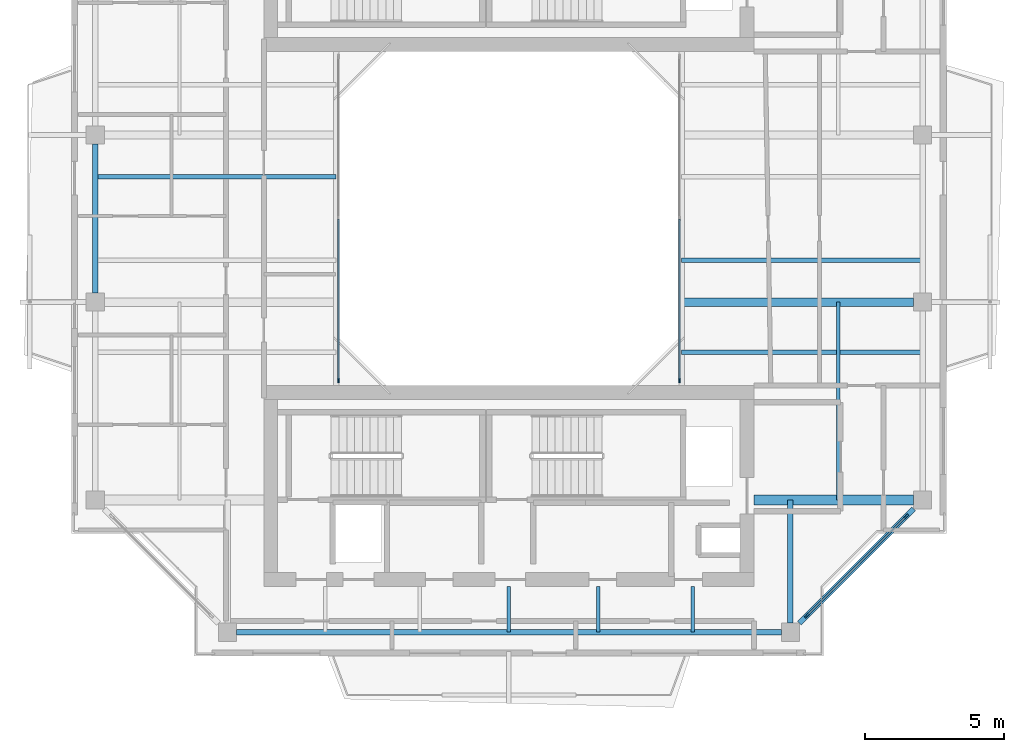
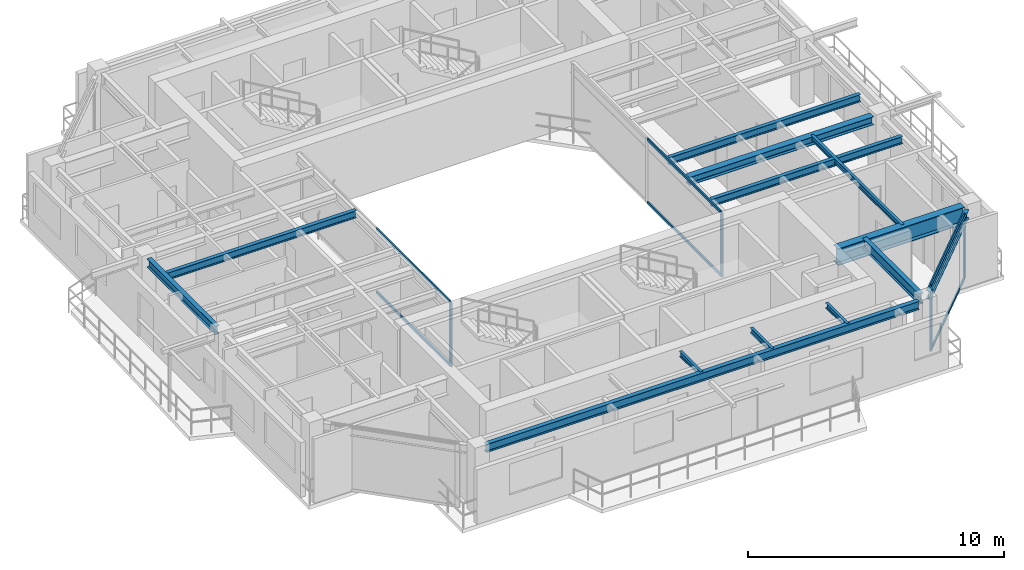
# One storey, part 4 of 15: 13 beams, 10 members, 3 elements without a shape of their own.
"""IFC4 building model written with IfcOpenShell, lengths in metres."""

from ifc_helpers import new_model, si_unit, direction, frame, origin, origin_2d, place, context, subcontext, project, spatial, rectangle, i_section, extrude, source, transform, mapped, material, layer, layer_set, material_profile, profile_set, type_object, element, aggregate, save


model = new_model("IFC4")

# Units and contexts
model_context = context("Model", 3, precision=1e-05, world=origin(), true_north=direction((0.0, 1.0)))
body_context = subcontext(model_context, "Body", "Model", "MODEL_VIEW")
ifc_project = project(units=[si_unit("LENGTHUNIT", "METRE"), si_unit("AREAUNIT", "SQUARE_METRE"), si_unit("VOLUMEUNIT", "CUBIC_METRE"), si_unit("PLANEANGLEUNIT", "RADIAN"), si_unit("MASSUNIT", "GRAM", prefix="KILO"), si_unit("THERMODYNAMICTEMPERATUREUNIT", "KELVIN"), si_unit("POWERUNIT", "WATT")], contexts=[model_context])

# Site, building, storey
site_placement = place(None, origin())
site = spatial("IfcSite", under=ifc_project, at=site_placement, CompositionType="ELEMENT")
building_placement = place(site_placement, origin())
building = spatial("IfcBuilding", under=site, at=building_placement, Name="Qiaomeng Ring Towers", CompositionType="ELEMENT")
storey_placement = place(building_placement, frame((0.0, 0.0, 256.75)))
storey = spatial("IfcBuildingStorey", under=building, at=storey_placement, Name="L75", CompositionType="ELEMENT", Elevation=256.75)

# Beams
ifc_material_1 = material(Name="Steel Q355B", Category="steel")
ifc_material_profile_1 = material_profile(ifc_material_1, i_section(OverallWidth=0.198974609375, OverallDepth=0.39599609375, WebThickness=0.007080078125, FlangeThickness=0.010986328125, FilletRadius=0.01611328125, at=origin_2d()), Name="HN 396x199x7x11")
ifc_profile_set_1 = profile_set([ifc_material_profile_1], Name="Steel Q355B")
beam_type_1 = type_object("IfcBeamType", Name="STR-BM-HN396", PredefinedType="SPANDREL", material=ifc_profile_set_1)
shared_shape_1 = source(origin(), body_context, "Body", "SweptSolid", [
    extrude(i_section(OverallWidth=0.198974609375, OverallDepth=0.39599609375, WebThickness=0.007080078125, FlangeThickness=0.010986328125, FilletRadius=0.01611328125, at=origin_2d()), origin(), (0.0, 0.0, 1.0), 19.5517578125),
])
beam_1_placement = place(storey_placement, frame((9.22412109375, 8.14990234375, 2.8720703125), z_axis=(1.0, 0.0, 0.0), x_axis=(0.0, 1.0, 0.0)))
element("IfcBeam", 1, at=beam_1_placement, inside=storey, type_object=beam_type_1, Name="L75 beam STR-SP-L75-T1-S1-S2", PredefinedType="SPANDREL", context=body_context, shape_type="MappedRepresentation", body=[
    mapped(shared_shape_1, transform((0.0, 0.0, 0.0), x_axis=(1.0, 0.0, 0.0), y_axis=(0.0, 1.0, 0.0), z_axis=(0.0, 0.0, 1.0), scale=1.0)),
])
shared_shape_2 = source(origin(), body_context, "Body", "SweptSolid", [
    extrude(i_section(OverallWidth=0.198974609375, OverallDepth=0.39599609375, WebThickness=0.007080078125, FlangeThickness=0.010986328125, FilletRadius=0.01611328125, at=origin_2d()), origin(), (0.0, 0.0, 1.0), 5.800048828125),
])
beam_2_placement = place(storey_placement, frame((29.42431640625, 8.474365234375, 2.8720703125), z_axis=(0.707106781187, 0.707106781187, 0.0), x_axis=(-0.707106781187, 0.707106781187, 0.0)))
element("IfcBeam", 2, at=beam_2_placement, inside=storey, type_object=beam_type_1, Name="L75 beam STR-SP-L75-T1-S2-E1", PredefinedType="SPANDREL", context=body_context, shape_type="MappedRepresentation", body=[
    mapped(shared_shape_2, transform((0.0, 0.0, 0.0), x_axis=(1.0, 0.0, 0.0), y_axis=(0.0, 1.0, 0.0), z_axis=(0.0, 0.0, 1.0), scale=1.0)),
])
shared_shape_3 = source(origin(), body_context, "Body", "SweptSolid", [
    extrude(i_section(OverallWidth=0.198974609375, OverallDepth=0.39599609375, WebThickness=0.007080078125, FlangeThickness=0.010986328125, FilletRadius=0.01611328125, at=origin_2d()), origin(), (0.0, 0.0, 1.0), 5.35205078125),
])
beam_3_placement = place(storey_placement, frame((4.14990234375, 25.676025390625, 2.8720703125), z_axis=(0.0, -1.0, 0.0), x_axis=(1.0, 0.0, 0.0)))
element("IfcBeam", 3, at=beam_3_placement, inside=storey, type_object=beam_type_1, Name="L75 beam STR-SP-L75-T1-W3-W2", PredefinedType="SPANDREL", context=body_context, shape_type="MappedRepresentation", body=[
    mapped(shared_shape_3, transform((0.0, 0.0, 0.0), x_axis=(1.0, 0.0, 0.0), y_axis=(0.0, 1.0, 0.0), z_axis=(0.0, 0.0, 1.0), scale=1.0)),
])
ifc_material_2 = material(Name="Steel Q390GJC", Category="steel")
ifc_material_profile_2 = material_profile(ifc_material_2, i_section(OverallWidth=0.35009765625, OverallDepth=0.800048828125, WebThickness=0.01611328125, FlangeThickness=0.028076171875, at=origin_2d()), Name="WH 800x350x16x28")
ifc_profile_set_2 = profile_set([ifc_material_profile_2], Name="Steel Q390GJC")
beam_type_2 = type_object("IfcBeamType", Name="STR-BM-WH800", PredefinedType="BEAM", material=ifc_profile_set_2)
shared_shape_4 = source(origin(), body_context, "Body", "SweptSolid", [
    extrude(i_section(OverallWidth=0.35009765625, OverallDepth=0.800048828125, WebThickness=0.01611328125, FlangeThickness=0.028076171875, at=origin_2d()), origin(), (0.0, 0.0, 1.0), 5.725830078125),
])
beam_4_placement = place(storey_placement, frame((27.800048828125, 12.89990234375, 2.669921875), z_axis=(1.0, 0.0, 0.0), x_axis=(0.0, 1.0, 0.0)))
element("IfcBeam", 4, at=beam_4_placement, inside=storey, type_object=beam_type_2, Name="L75 beam STR-BM-L75-T1-RAD-E1", PredefinedType="BEAM", context=body_context, shape_type="MappedRepresentation", body=[
    mapped(shared_shape_4, transform((0.0, 0.0, 0.0), x_axis=(1.0, 0.0, 0.0), y_axis=(0.0, 1.0, 0.0), z_axis=(0.0, 0.0, 1.0), scale=1.0)),
])
ifc_material_profile_3 = material_profile(ifc_material_1, i_section(OverallWidth=0.198974609375, OverallDepth=0.49609375, WebThickness=0.009033203125, FlangeThickness=0.013916015625, FilletRadius=0.01806640625, at=origin_2d()), Name="HN 496x199x9x14")
ifc_profile_set_3 = profile_set([ifc_material_profile_3], Name="Steel Q355B")
beam_type_3 = type_object("IfcBeamType", Name="STR-BM-HN496", PredefinedType="BEAM", material=ifc_profile_set_3)
shared_shape_5 = source(origin(), body_context, "Body", "SweptSolid", [
    extrude(i_section(OverallWidth=0.198974609375, OverallDepth=0.49609375, WebThickness=0.009033203125, FlangeThickness=0.013916015625, FilletRadius=0.01806640625, at=origin_2d()), origin(), (0.0, 0.0, 1.0), 4.42578125),
])
beam_5_placement = place(storey_placement, frame((29.10009765625, 8.47412109375, 2.822021484375), z_axis=(0.0, 1.0, 0.0), x_axis=(-1.0, 0.0, 0.0)))
element("IfcBeam", 5, at=beam_5_placement, inside=storey, type_object=beam_type_3, Name="L75 beam STR-BM-L75-T1-RAD-S2", PredefinedType="BEAM", context=body_context, shape_type="MappedRepresentation", body=[
    mapped(shared_shape_5, transform((0.0, 0.0, 0.0), x_axis=(1.0, 0.0, 0.0), y_axis=(0.0, 1.0, 0.0), z_axis=(0.0, 0.0, 1.0), scale=1.0)),
])
ifc_material_profile_4 = material_profile(ifc_material_1, i_section(OverallWidth=0.300048828125, OverallDepth=0.389892578125, WebThickness=0.010009765625, FlangeThickness=0.01611328125, FilletRadius=0.02197265625, at=origin_2d()), Name="HM 390x300x10x16")
ifc_profile_set_4 = profile_set([ifc_material_profile_4], Name="Steel Q355B")
beam_type_4 = type_object("IfcBeamType", Name="STR-BM-HM390", PredefinedType="BEAM", material=ifc_profile_set_4)
shared_shape_6 = source(origin(), body_context, "Body", "SweptSolid", [
    extrude(i_section(OverallWidth=0.300048828125, OverallDepth=0.389892578125, WebThickness=0.010009765625, FlangeThickness=0.01611328125, FilletRadius=0.02197265625, at=origin_2d()), origin(), (0.0, 0.0, 1.0), 8.325927734375),
])
beam_6_placement = place(storey_placement, frame((25.199951171875, 20.0, 2.875), z_axis=(1.0, 0.0, 0.0), x_axis=(0.0, 1.0, 0.0)))
element("IfcBeam", 6, at=beam_6_placement, inside=storey, type_object=beam_type_4, Name="L75 beam STR-BM-L75-T1-RAD-E2", PredefinedType="BEAM", context=body_context, shape_type="MappedRepresentation", body=[
    mapped(shared_shape_6, transform((0.0, 0.0, 0.0), x_axis=(1.0, 0.0, 0.0), y_axis=(0.0, 1.0, 0.0), z_axis=(0.0, 0.0, 1.0), scale=1.0)),
])
ifc_material_profile_5 = material_profile(ifc_material_1, i_section(OverallWidth=0.125, OverallDepth=0.25, WebThickness=0.006103515625, FlangeThickness=0.009033203125, FilletRadius=0.011962890625, at=origin_2d()), Name="HN 250x125x6x9")
ifc_profile_set_5 = profile_set([ifc_material_profile_5], Name="Steel Q355B")
beam_type_5 = type_object("IfcBeamType", Name="STR-BM-HN250", PredefinedType="JOIST", material=ifc_profile_set_5)
shared_shape_7 = source(origin(), body_context, "Body", "SweptSolid", [
    extrude(i_section(OverallWidth=0.125, OverallDepth=0.25, WebThickness=0.006103515625, FlangeThickness=0.009033203125, FilletRadius=0.011962890625, at=origin_2d()), origin(), (0.0, 0.0, 1.0), 1.650146484375),
])
for number, where, z_axis, x_axis, name in (
    (7, (19.0, 8.14990234375, 2.945068359375), (0.0, 1.0, 0.0), (-1.0, 0.0, 0.0), "L75 beam STR-JST-L75-T1S-3"),
    (8, (22.199951171875, 8.14990234375, 2.945068359375), (0.0, 1.0, 0.0), (-1.0, 0.0, 0.0), "L75 beam STR-JST-L75-T1S-4"),
    (9, (25.60009765625, 8.14990234375, 2.945068359375), (0.0, 1.0, 0.0), (-1.0, 0.0, 0.0), "L75 beam STR-JST-L75-T1S-5"),
):
    element("IfcBeam", number, at=place(storey_placement, frame(where, z_axis=z_axis, x_axis=x_axis)), inside=storey, type_object=beam_type_5, Name=name, PredefinedType="JOIST", context=body_context, shape_type="MappedRepresentation", body=[
        mapped(shared_shape_7, transform((0.0, 0.0, 0.0), x_axis=(1.0, 0.0, 0.0), y_axis=(0.0, 1.0, 0.0), z_axis=(0.0, 0.0, 1.0), scale=1.0)),
    ])
ifc_material_profile_6 = material_profile(ifc_material_1, i_section(OverallWidth=0.175048828125, OverallDepth=0.35009765625, WebThickness=0.007080078125, FlangeThickness=0.010986328125, FilletRadius=0.013916015625, at=origin_2d()), Name="HN 350x175x7x11")
ifc_profile_set_6 = profile_set([ifc_material_profile_6], Name="Steel Q355B")
beam_type_6 = type_object("IfcBeamType", Name="STR-BM-HN350", PredefinedType="JOIST", material=ifc_profile_set_6)
shared_shape_8 = source(origin(), body_context, "Body", "SweptSolid", [
    extrude(i_section(OverallWidth=0.175048828125, OverallDepth=0.35009765625, WebThickness=0.007080078125, FlangeThickness=0.010986328125, FilletRadius=0.013916015625, at=origin_2d()), origin(), (0.0, 0.0, 1.0), 8.650146484375),
])
for number, where, z_axis, x_axis, name in (
    (10, (25.199951171875, 18.199951171875, 2.89501953125), (1.0, 0.0, 0.0), (0.0, 1.0, 0.0), "L75 beam STR-JST-L75-T1E-1"),
    (11, (25.199951171875, 21.5, 2.89501953125), (1.0, 0.0, 0.0), (0.0, 1.0, 0.0), "L75 beam STR-JST-L75-T1E-2"),
    (12, (4.14990234375, 24.5, 2.89501953125), (1.0, 0.0, 0.0), (0.0, 1.0, 0.0), "L75 beam STR-JST-L75-T1W-3"),
):
    element("IfcBeam", number, at=place(storey_placement, frame(where, z_axis=z_axis, x_axis=x_axis)), inside=storey, type_object=beam_type_6, Name=name, PredefinedType="JOIST", context=body_context, shape_type="MappedRepresentation", body=[
        mapped(shared_shape_8, transform((0.0, 0.0, 0.0), x_axis=(1.0, 0.0, 0.0), y_axis=(0.0, 1.0, 0.0), z_axis=(0.0, 0.0, 1.0), scale=1.0)),
    ])
shared_shape_9 = source(origin(), body_context, "Body", "SweptSolid", [
    extrude(i_section(OverallWidth=0.125, OverallDepth=0.25, WebThickness=0.006103515625, FlangeThickness=0.009033203125, FilletRadius=0.011962890625, at=origin_2d()), origin(), (0.0, 0.0, 1.0), 7.10009765625),
])
beam_7_placement = place(storey_placement, frame((30.824951171875, 12.89990234375, 2.945068359375), z_axis=(0.0, 1.0, 0.0), x_axis=(-1.0, 0.0, 0.0)))
element("IfcBeam", 13, at=beam_7_placement, inside=storey, type_object=beam_type_5, Name="L75 beam STR-JST-L75-T1C-ES", PredefinedType="JOIST", context=body_context, shape_type="MappedRepresentation", body=[
    mapped(shared_shape_9, transform((0.0, 0.0, 0.0), x_axis=(1.0, 0.0, 0.0), y_axis=(0.0, 1.0, 0.0), z_axis=(0.0, 0.0, 1.0), scale=1.0)),
])

# Curtain wall, member
ifc_material_3 = material(Name="Fluorocarbon dark-grey aluminium", Category="aluminium")
ifc_layer_1 = layer(ifc_material_3, 0.139892578125, Name="Fluorocarbon dark-grey aluminium")
ifc_layer_set_1 = layer_set([ifc_layer_1], Name="Fluorocarbon dark-grey aluminium")
curtain_wall_type_1 = type_object("IfcCurtainWallType", Name="ARC-CW-4", PredefinedType="NOTDEFINED", material=ifc_layer_set_1)
curtain_wall_1_placement = place(storey_placement, origin())
curtain_wall_1 = element("IfcCurtainWall", 14, at=curtain_wall_1_placement, inside=storey, type_object=curtain_wall_type_1, Name="L75 Curtain Wall CW4", PredefinedType="NOTDEFINED")
ifc_material_profile_7 = material_profile(ifc_material_3, rectangle(XDim=0.06494140625, YDim=0.159912109375, at=origin_2d()), Name="ALU MULL 65x160")
ifc_profile_set_7 = profile_set([ifc_material_profile_7], Name="Fluorocarbon dark-grey aluminium")
member_type_1 = type_object("IfcMemberType", Name="ARC-CWM-140", PredefinedType="MULLION", material=ifc_profile_set_7)
shared_shape_10 = source(origin(), body_context, "Body", "SweptSolid", [
    extrude(rectangle(XDim=0.06494140625, YDim=0.159912109375, at=origin_2d()), origin(), (0.0, 0.0, 1.0), 3.070068359375),
])
member_1_placement = place(storey_placement, frame((12.8798828125, 17.1826171875, 0.0), z_axis=(0.0, 0.0, 1.0), x_axis=(-1.0, 0.0, 0.0)))
member_1 = element("IfcMember", 15, at=member_1_placement, type_object=member_type_1, Name="CW4 mullion 1", PredefinedType="MULLION", context=body_context, shape_type="MappedRepresentation", body=[
    mapped(shared_shape_10, transform((0.0, 0.0, 0.0), x_axis=(1.0, 0.0, 0.0), y_axis=(0.0, 1.0, 0.0), z_axis=(0.0, 0.0, 1.0), scale=1.0)),
])

curtain_wall_2_placement = place(storey_placement, origin())
curtain_wall_2 = element("IfcCurtainWall", 16, at=curtain_wall_2_placement, inside=storey, type_object=curtain_wall_type_1, Name="L75 Curtain Wall CW4", PredefinedType="NOTDEFINED")
member_2_placement = place(storey_placement, frame((25.1201171875, 17.1826171875, 0.0), z_axis=(0.0, 0.0, 1.0), x_axis=(-1.0, 0.0, 0.0)))
member_2 = element("IfcMember", 17, at=member_2_placement, type_object=member_type_1, Name="CW4 mullion 1", PredefinedType="MULLION", context=body_context, shape_type="MappedRepresentation", body=[
    mapped(shared_shape_10, transform((0.0, 0.0, 0.0), x_axis=(1.0, 0.0, 0.0), y_axis=(0.0, 1.0, 0.0), z_axis=(0.0, 0.0, 1.0), scale=1.0)),
])

# Member
ifc_material_profile_8 = material_profile(ifc_material_3, rectangle(XDim=0.06494140625, YDim=0.1298828125, at=origin_2d()), Name="ALU TRAN 65x130")
ifc_profile_set_8 = profile_set([ifc_material_profile_8], Name="Fluorocarbon dark-grey aluminium")
member_type_2 = type_object("IfcMemberType", Name="ARC-CWT-120", PredefinedType="USERDEFINED", material=ifc_profile_set_8)
shared_shape_11 = source(origin(), body_context, "Body", "SweptSolid", [
    extrude(rectangle(XDim=0.06494140625, YDim=0.1298828125, at=origin_2d()), origin(), (0.0, 0.0, 1.0), 5.75244140625),
])
member_3_placement = place(storey_placement, frame((12.8798828125, 17.215087890625, 0.032470703125), z_axis=(0.0, 1.0, 0.0), x_axis=(-1.0, 0.0, 0.0)))
member_3 = element("IfcMember", 18, at=member_3_placement, type_object=member_type_2, Name="CW4 transom 1.1", ObjectType="TRANSOM", PredefinedType="USERDEFINED", context=body_context, shape_type="MappedRepresentation", body=[
    mapped(shared_shape_11, transform((0.0, 0.0, 0.0), x_axis=(1.0, 0.0, 0.0), y_axis=(0.0, 1.0, 0.0), z_axis=(0.0, 0.0, 1.0), scale=1.0)),
])

member_4_placement = place(storey_placement, frame((12.8798828125, 17.215087890625, 3.03759765625), z_axis=(0.0, 1.0, 0.0), x_axis=(-1.0, 0.0, 0.0)))
member_4 = element("IfcMember", 19, at=member_4_placement, type_object=member_type_2, Name="CW4 transom 1.2", ObjectType="TRANSOM", PredefinedType="USERDEFINED", context=body_context, shape_type="MappedRepresentation", body=[
    mapped(shared_shape_11, transform((0.0, 0.0, 0.0), x_axis=(1.0, 0.0, 0.0), y_axis=(0.0, 1.0, 0.0), z_axis=(0.0, 0.0, 1.0), scale=1.0)),
])

aggregate(curtain_wall_1, [member_1, member_3, member_4])

member_5_placement = place(storey_placement, frame((25.1201171875, 17.215087890625, 0.032470703125), z_axis=(0.0, 1.0, 0.0), x_axis=(-1.0, 0.0, 0.0)))
member_5 = element("IfcMember", 20, at=member_5_placement, type_object=member_type_2, Name="CW4 transom 1.1", ObjectType="TRANSOM", PredefinedType="USERDEFINED", context=body_context, shape_type="MappedRepresentation", body=[
    mapped(shared_shape_11, transform((0.0, 0.0, 0.0), x_axis=(1.0, 0.0, 0.0), y_axis=(0.0, 1.0, 0.0), z_axis=(0.0, 0.0, 1.0), scale=1.0)),
])

member_6_placement = place(storey_placement, frame((25.1201171875, 17.215087890625, 3.03759765625), z_axis=(0.0, 1.0, 0.0), x_axis=(-1.0, 0.0, 0.0)))
member_6 = element("IfcMember", 21, at=member_6_placement, type_object=member_type_2, Name="CW4 transom 1.2", ObjectType="TRANSOM", PredefinedType="USERDEFINED", context=body_context, shape_type="MappedRepresentation", body=[
    mapped(shared_shape_11, transform((0.0, 0.0, 0.0), x_axis=(1.0, 0.0, 0.0), y_axis=(0.0, 1.0, 0.0), z_axis=(0.0, 0.0, 1.0), scale=1.0)),
])

aggregate(curtain_wall_2, [member_2, member_5, member_6])

# Curtain wall, members
ifc_layer_2 = layer(ifc_material_3, 0.14990234375, Name="Fluorocarbon dark-grey aluminium")
ifc_layer_set_2 = layer_set([ifc_layer_2], Name="Fluorocarbon dark-grey aluminium")
curtain_wall_type_2 = type_object("IfcCurtainWallType", Name="ARC-CW-3", PredefinedType="NOTDEFINED", material=ifc_layer_set_2)
curtain_wall_3_placement = place(storey_placement, origin())
curtain_wall_3 = element("IfcCurtainWall", 22, at=curtain_wall_3_placement, inside=storey, type_object=curtain_wall_type_2, Name="L75 Curtain Wall CW3", PredefinedType="NOTDEFINED")
ifc_material_profile_9 = material_profile(ifc_material_3, rectangle(XDim=0.070068359375, YDim=0.179931640625, at=origin_2d()), Name="ALU MULL 70x180")
ifc_profile_set_9 = profile_set([ifc_material_profile_9], Name="Fluorocarbon dark-grey aluminium")
member_type_3 = type_object("IfcMemberType", Name="ARC-CWM-160", PredefinedType="MULLION", material=ifc_profile_set_9)
shared_shape_12 = source(origin(), body_context, "Body", "SweptSolid", [
    extrude(rectangle(XDim=0.070068359375, YDim=0.179931640625, at=origin_2d()), origin(), (0.0, 0.0, 1.0), 3.070068359375),
])
member_7_placement = place(storey_placement, frame((29.689697265625, 8.73974609375, 0.0), z_axis=(0.0, 0.0, 1.0), x_axis=(-0.707106781187, 0.707106781187, 0.0)))
member_7 = element("IfcMember", 23, at=member_7_placement, type_object=member_type_3, Name="CW3 mullion 1", PredefinedType="MULLION", context=body_context, shape_type="MappedRepresentation", body=[
    mapped(shared_shape_12, transform((0.0, 0.0, 0.0), x_axis=(1.0, 0.0, 0.0), y_axis=(0.0, 1.0, 0.0), z_axis=(0.0, 0.0, 1.0), scale=1.0)),
])
member_8_placement = place(storey_placement, frame((33.26025390625, 12.310302734375, 0.0), z_axis=(0.0, 0.0, 1.0), x_axis=(-0.707106781187, 0.707106781187, 0.0)))
member_8 = element("IfcMember", 24, at=member_8_placement, type_object=member_type_3, Name="CW3 mullion 2", PredefinedType="MULLION", context=body_context, shape_type="MappedRepresentation", body=[
    mapped(shared_shape_12, transform((0.0, 0.0, 0.0), x_axis=(1.0, 0.0, 0.0), y_axis=(0.0, 1.0, 0.0), z_axis=(0.0, 0.0, 1.0), scale=1.0)),
])
shared_shape_13 = source(origin(), body_context, "Body", "SweptSolid", [
    extrude(rectangle(XDim=0.06494140625, YDim=0.1298828125, at=origin_2d()), origin(), (0.0, 0.0, 1.0), 4.9794921875),
])
member_9_placement = place(storey_placement, frame((29.714599609375, 8.764404296875, 0.032470703125), z_axis=(0.707106781187, 0.707106781187, 0.0), x_axis=(-0.707106781187, 0.707106781187, 0.0)))
member_9 = element("IfcMember", 25, at=member_9_placement, type_object=member_type_2, Name="CW3 transom 1.1", ObjectType="TRANSOM", PredefinedType="USERDEFINED", context=body_context, shape_type="MappedRepresentation", body=[
    mapped(shared_shape_13, transform((0.0, 0.0, 0.0), x_axis=(1.0, 0.0, 0.0), y_axis=(0.0, 1.0, 0.0), z_axis=(0.0, 0.0, 1.0), scale=1.0)),
])
member_10_placement = place(storey_placement, frame((29.714599609375, 8.764404296875, 3.03759765625), z_axis=(0.707106781187, 0.707106781187, 0.0), x_axis=(-0.707106781187, 0.707106781187, 0.0)))
member_10 = element("IfcMember", 26, at=member_10_placement, type_object=member_type_2, Name="CW3 transom 1.2", ObjectType="TRANSOM", PredefinedType="USERDEFINED", context=body_context, shape_type="MappedRepresentation", body=[
    mapped(shared_shape_13, transform((0.0, 0.0, 0.0), x_axis=(1.0, 0.0, 0.0), y_axis=(0.0, 1.0, 0.0), z_axis=(0.0, 0.0, 1.0), scale=1.0)),
])
aggregate(curtain_wall_3, [member_7, member_8, member_9, member_10])

save(model, "model.ifc")
